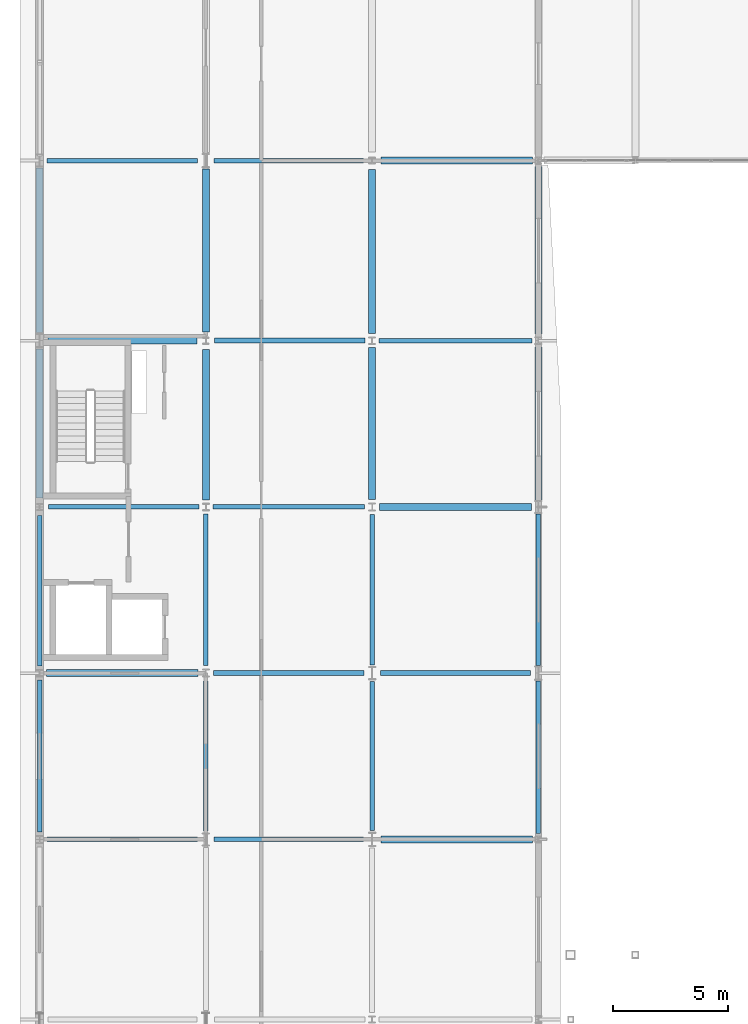
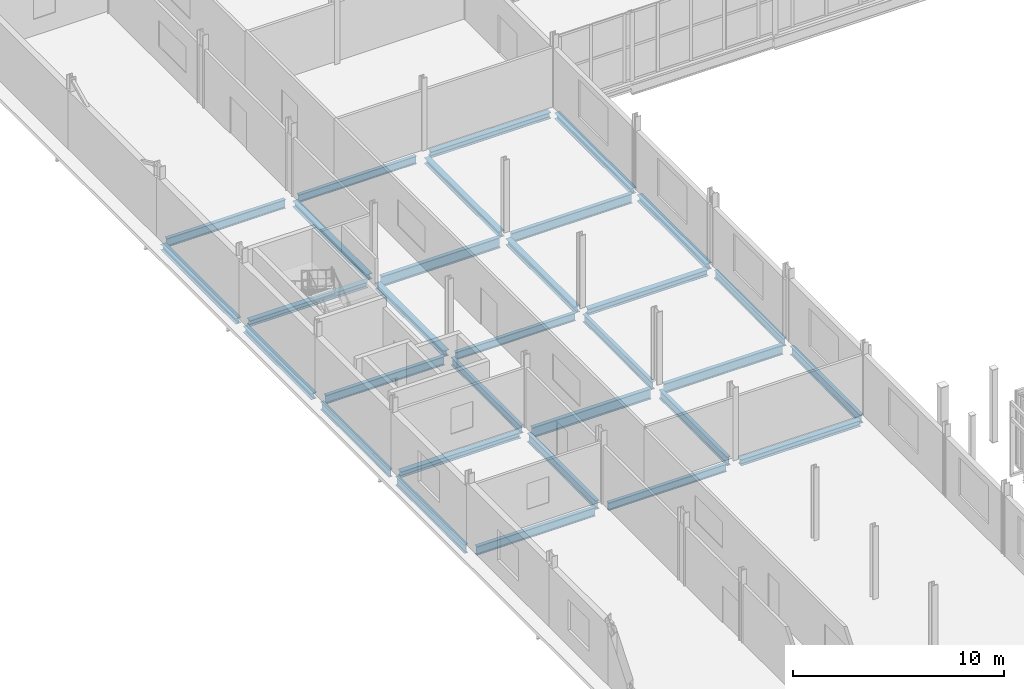
# One storey, part 49 of 138: 31 beams.
"""IFC4 building model written with IfcOpenShell, lengths in metres."""

from ifc_helpers import new_model, si_unit, direction, frame, origin, origin_2d, place, context, subcontext, project, spatial, i_section, extrude, material, material_profile, profile_set, type_object, element, save


model = new_model("IFC4")

# Units and contexts
model_context = context("Model", 3, precision=1e-05, world=origin(), true_north=direction((0.0, 1.0)))
body_context = subcontext(model_context, "Body", "Model", "MODEL_VIEW")
ifc_project = project(units=[si_unit("LENGTHUNIT", "METRE"), si_unit("AREAUNIT", "SQUARE_METRE"), si_unit("VOLUMEUNIT", "CUBIC_METRE"), si_unit("PLANEANGLEUNIT", "RADIAN"), si_unit("MASSUNIT", "GRAM", prefix="KILO")], contexts=[model_context])

# Site, building, storey
site_placement = place(None, origin())
site = spatial("IfcSite", under=ifc_project, at=site_placement, CompositionType="ELEMENT")
building_placement = place(site_placement, origin())
building = spatial("IfcBuilding", under=site, at=building_placement, Name="Vinh Khe Railworks Police Headquarters", CompositionType="ELEMENT")
storey_placement = place(building_placement, frame((0.0, 0.0, 9.0)))
storey = spatial("IfcBuildingStorey", under=building, at=storey_placement, Name="L02", CompositionType="ELEMENT", Elevation=9.0)

# Beams
ifc_material = material(Name="Steel S355JR", Category="steel")
ifc_material_profile_1 = material_profile(ifc_material, i_section(OverallWidth=0.300048828125, OverallDepth=0.330078125, WebThickness=0.009521484375, FlangeThickness=0.0166015625, FilletRadius=0.027099609375, at=origin_2d()), Name="HEA 340")
ifc_profile_set_1 = profile_set([ifc_material_profile_1], Name="Steel S355JR")
beam_type_1 = type_object("IfcBeamType", Name="Steel Girder HEA 340", PredefinedType="BEAM", material=ifc_profile_set_1)
beam_1_placement = place(storey_placement, frame((0.905029296875, 73.800048828125, -0.385009765625), z_axis=(1.0, 0.0, 0.0), x_axis=(0.0, 1.0, 0.0)))
element("IfcBeam", 1, at=beam_1_placement, inside=storey, type_object=beam_type_1, Name="Girder BM-L02-EW-SB-16-0794", PredefinedType="BEAM", context=body_context, shape_type="SweptSolid", body=[
    extrude(i_section(OverallWidth=0.300048828125, OverallDepth=0.330078125, WebThickness=0.009521484375, FlangeThickness=0.0166015625, FilletRadius=0.027099609375, at=origin_2d()), origin(), (0.0, 0.0, 1.0), 6.56494140625),
])
beam_2_placement = place(storey_placement, frame((0.955078125, 88.199951171875, -0.385009765625), z_axis=(1.0, 0.0, 0.0), x_axis=(0.0, 1.0, 0.0)))
element("IfcBeam", 2, at=beam_2_placement, inside=storey, type_object=beam_type_1, Name="Girder BM-L02-EW-SB-16-0800", PredefinedType="BEAM", context=body_context, shape_type="SweptSolid", body=[
    extrude(i_section(OverallWidth=0.300048828125, OverallDepth=0.330078125, WebThickness=0.009521484375, FlangeThickness=0.0166015625, FilletRadius=0.027099609375, at=origin_2d()), origin(), (0.0, 0.0, 1.0), 6.46484375),
])
beam_3_placement = place(storey_placement, frame((0.60009765625, 88.554931640625, -0.385009765625), z_axis=(0.0, 1.0, 0.0), x_axis=(-1.0, 0.0, 0.0)))
element("IfcBeam", 3, at=beam_3_placement, inside=storey, type_object=beam_type_1, Name="Girder BM-L02-NS-SB-16-0884", PredefinedType="BEAM", context=body_context, shape_type="SweptSolid", body=[
    extrude(i_section(OverallWidth=0.300048828125, OverallDepth=0.330078125, WebThickness=0.009521484375, FlangeThickness=0.0166015625, FilletRadius=0.027099609375, at=origin_2d()), origin(), (0.0, 0.0, 1.0), 7.114990234375),
])
beam_4_placement = place(storey_placement, frame((7.800048828125, 88.580078125, -0.385009765625), z_axis=(0.0, 1.0, 0.0), x_axis=(-1.0, 0.0, 0.0)))
element("IfcBeam", 4, at=beam_4_placement, inside=storey, type_object=beam_type_1, Name="Girder BM-L02-NS-SB-16-0902", PredefinedType="BEAM", context=body_context, shape_type="SweptSolid", body=[
    extrude(i_section(OverallWidth=0.300048828125, OverallDepth=0.330078125, WebThickness=0.009521484375, FlangeThickness=0.0166015625, FilletRadius=0.027099609375, at=origin_2d()), origin(), (0.0, 0.0, 1.0), 7.06494140625),
])
beam_5_placement = place(storey_placement, frame((15.0, 88.5048828125, -0.385009765625), z_axis=(0.0, 1.0, 0.0), x_axis=(-1.0, 0.0, 0.0)))
element("IfcBeam", 5, at=beam_5_placement, inside=storey, type_object=beam_type_1, Name="Girder BM-L02-NS-SB-16-0920", PredefinedType="BEAM", context=body_context, shape_type="SweptSolid", body=[
    extrude(i_section(OverallWidth=0.300048828125, OverallDepth=0.330078125, WebThickness=0.009521484375, FlangeThickness=0.0166015625, FilletRadius=0.027099609375, at=origin_2d()), origin(), (0.0, 0.0, 1.0), 7.115234375),
])
beam_6_placement = place(storey_placement, frame((22.199951171875, 88.47998046875, -0.385009765625), z_axis=(0.0, 1.0, 0.0), x_axis=(-1.0, 0.0, 0.0)))
element("IfcBeam", 6, at=beam_6_placement, inside=storey, type_object=beam_type_1, Name="Girder BM-L02-NS-SB-16-0938", PredefinedType="BEAM", context=body_context, shape_type="SweptSolid", body=[
    extrude(i_section(OverallWidth=0.300048828125, OverallDepth=0.330078125, WebThickness=0.009521484375, FlangeThickness=0.0166015625, FilletRadius=0.027099609375, at=origin_2d()), origin(), (0.0, 0.0, 1.0), 7.26513671875),
])
ifc_material_profile_2 = material_profile(ifc_material, i_section(OverallWidth=0.300048828125, OverallDepth=0.35009765625, WebThickness=0.010009765625, FlangeThickness=0.017578125, FilletRadius=0.027099609375, at=origin_2d()), Name="HEA 360")
ifc_profile_set_2 = profile_set([ifc_material_profile_2], Name="Steel S355JR")
beam_type_2 = type_object("IfcBeamType", Name="Steel Girder HEA 360", PredefinedType="BEAM", material=ifc_profile_set_2)
beam_7_placement = place(storey_placement, frame((15.3798828125, 66.60009765625, -0.39501953125), z_axis=(1.0, 0.0, 0.0), x_axis=(0.0, 1.0, 0.0)))
element("IfcBeam", 7, at=beam_7_placement, inside=storey, type_object=beam_type_2, Name="Girder BM-L02-EW-SB-15-0793", PredefinedType="BEAM", context=body_context, shape_type="SweptSolid", body=[
    extrude(i_section(OverallWidth=0.300048828125, OverallDepth=0.35009765625, WebThickness=0.010009765625, FlangeThickness=0.017578125, FilletRadius=0.027099609375, at=origin_2d()), origin(), (0.0, 0.0, 1.0), 6.565185546875),
])
beam_8_placement = place(storey_placement, frame((15.330078125, 81.0, -0.39501953125), z_axis=(1.0, 0.0, 0.0), x_axis=(0.0, 1.0, 0.0)))
element("IfcBeam", 8, at=beam_8_placement, inside=storey, type_object=beam_type_2, Name="Girder BM-L02-EW-SB-15-0799", PredefinedType="BEAM", context=body_context, shape_type="SweptSolid", body=[
    extrude(i_section(OverallWidth=0.300048828125, OverallDepth=0.35009765625, WebThickness=0.010009765625, FlangeThickness=0.017578125, FilletRadius=0.027099609375, at=origin_2d()), origin(), (0.0, 0.0, 1.0), 6.56494140625),
])
beam_9_placement = place(storey_placement, frame((15.3798828125, 96.0, -0.39501953125), z_axis=(1.0, 0.0, 0.0), x_axis=(0.0, 1.0, 0.0)))
element("IfcBeam", 9, at=beam_9_placement, inside=storey, type_object=beam_type_2, Name="Girder BM-L02-EW-SB-15-0805", PredefinedType="BEAM", context=body_context, shape_type="SweptSolid", body=[
    extrude(i_section(OverallWidth=0.300048828125, OverallDepth=0.35009765625, WebThickness=0.010009765625, FlangeThickness=0.017578125, FilletRadius=0.027099609375, at=origin_2d()), origin(), (0.0, 0.0, 1.0), 6.565185546875),
])
beam_10_placement = place(storey_placement, frame((0.60009765625, 81.3798828125, -0.39501953125), z_axis=(0.0, 1.0, 0.0), x_axis=(-1.0, 0.0, 0.0)))
element("IfcBeam", 10, at=beam_10_placement, inside=storey, type_object=beam_type_2, Name="Girder BM-L02-NS-SB-15-0883", PredefinedType="BEAM", context=body_context, shape_type="SweptSolid", body=[
    extrude(i_section(OverallWidth=0.300048828125, OverallDepth=0.35009765625, WebThickness=0.010009765625, FlangeThickness=0.017578125, FilletRadius=0.027099609375, at=origin_2d()), origin(), (0.0, 0.0, 1.0), 6.465087890625),
])
beam_11_placement = place(storey_placement, frame((7.800048828125, 81.304931640625, -0.39501953125), z_axis=(0.0, 1.0, 0.0), x_axis=(-1.0, 0.0, 0.0)))
element("IfcBeam", 11, at=beam_11_placement, inside=storey, type_object=beam_type_2, Name="Girder BM-L02-NS-SB-15-0901", PredefinedType="BEAM", context=body_context, shape_type="SweptSolid", body=[
    extrude(i_section(OverallWidth=0.300048828125, OverallDepth=0.35009765625, WebThickness=0.010009765625, FlangeThickness=0.017578125, FilletRadius=0.027099609375, at=origin_2d()), origin(), (0.0, 0.0, 1.0), 6.51513671875),
])
beam_12_placement = place(storey_placement, frame((15.0, 81.330078125, -0.39501953125), z_axis=(0.0, 1.0, 0.0), x_axis=(-1.0, 0.0, 0.0)))
element("IfcBeam", 12, at=beam_12_placement, inside=storey, type_object=beam_type_2, Name="Girder BM-L02-NS-SB-15-0919", PredefinedType="BEAM", context=body_context, shape_type="SweptSolid", body=[
    extrude(i_section(OverallWidth=0.300048828125, OverallDepth=0.35009765625, WebThickness=0.010009765625, FlangeThickness=0.017578125, FilletRadius=0.027099609375, at=origin_2d()), origin(), (0.0, 0.0, 1.0), 6.56494140625),
])
beam_13_placement = place(storey_placement, frame((22.199951171875, 81.304931640625, -0.39501953125), z_axis=(0.0, 1.0, 0.0), x_axis=(-1.0, 0.0, 0.0)))
element("IfcBeam", 13, at=beam_13_placement, inside=storey, type_object=beam_type_2, Name="Girder BM-L02-NS-SB-15-0937", PredefinedType="BEAM", context=body_context, shape_type="SweptSolid", body=[
    extrude(i_section(OverallWidth=0.300048828125, OverallDepth=0.35009765625, WebThickness=0.010009765625, FlangeThickness=0.017578125, FilletRadius=0.027099609375, at=origin_2d()), origin(), (0.0, 0.0, 1.0), 6.614990234375),
])
ifc_material_profile_3 = material_profile(ifc_material, i_section(OverallWidth=0.18994140625, OverallDepth=0.449951171875, WebThickness=0.009521484375, FlangeThickness=0.0146484375, FilletRadius=0.02099609375, at=origin_2d()), Name="IPE 450")
ifc_profile_set_3 = profile_set([ifc_material_profile_3], Name="Steel S355JR")
beam_type_3 = type_object("IfcBeamType", Name="Steel Girder IPE 450", PredefinedType="BEAM", material=ifc_profile_set_3)
beam_14_placement = place(storey_placement, frame((8.155029296875, 66.60009765625, -0.445068359375), z_axis=(1.0, 0.0, 0.0), x_axis=(0.0, 1.0, 0.0)))
element("IfcBeam", 14, at=beam_14_placement, inside=storey, type_object=beam_type_3, Name="Girder BM-L02-EW-SB-20-0792", PredefinedType="BEAM", context=body_context, shape_type="SweptSolid", body=[
    extrude(i_section(OverallWidth=0.18994140625, OverallDepth=0.449951171875, WebThickness=0.009521484375, FlangeThickness=0.0146484375, FilletRadius=0.02099609375, at=origin_2d()), origin(), (0.0, 0.0, 1.0), 6.465087890625),
])
beam_15_placement = place(storey_placement, frame((8.10498046875, 81.0, -0.445068359375), z_axis=(1.0, 0.0, 0.0), x_axis=(0.0, 1.0, 0.0)))
element("IfcBeam", 15, at=beam_15_placement, inside=storey, type_object=beam_type_3, Name="Girder BM-L02-EW-SB-20-0798", PredefinedType="BEAM", context=body_context, shape_type="SweptSolid", body=[
    extrude(i_section(OverallWidth=0.18994140625, OverallDepth=0.449951171875, WebThickness=0.009521484375, FlangeThickness=0.0146484375, FilletRadius=0.02099609375, at=origin_2d()), origin(), (0.0, 0.0, 1.0), 6.56494140625),
])
beam_16_placement = place(storey_placement, frame((8.155029296875, 96.0, -0.445068359375), z_axis=(1.0, 0.0, 0.0), x_axis=(0.0, 1.0, 0.0)))
element("IfcBeam", 16, at=beam_16_placement, inside=storey, type_object=beam_type_3, Name="Girder BM-L02-EW-SB-20-0804", PredefinedType="BEAM", context=body_context, shape_type="SweptSolid", body=[
    extrude(i_section(OverallWidth=0.18994140625, OverallDepth=0.449951171875, WebThickness=0.009521484375, FlangeThickness=0.0146484375, FilletRadius=0.02099609375, at=origin_2d()), origin(), (0.0, 0.0, 1.0), 6.465087890625),
])
beam_17_placement = place(storey_placement, frame((0.60009765625, 74.10498046875, -0.445068359375), z_axis=(0.0, 1.0, 0.0), x_axis=(-1.0, 0.0, 0.0)))
element("IfcBeam", 17, at=beam_17_placement, inside=storey, type_object=beam_type_3, Name="Girder BM-L02-NS-SB-20-0882", PredefinedType="BEAM", context=body_context, shape_type="SweptSolid", body=[
    extrude(i_section(OverallWidth=0.18994140625, OverallDepth=0.449951171875, WebThickness=0.009521484375, FlangeThickness=0.0146484375, FilletRadius=0.02099609375, at=origin_2d()), origin(), (0.0, 0.0, 1.0), 6.51513671875),
])
beam_18_placement = place(storey_placement, frame((7.800048828125, 74.1298828125, -0.445068359375), z_axis=(0.0, 1.0, 0.0), x_axis=(-1.0, 0.0, 0.0)))
element("IfcBeam", 18, at=beam_18_placement, inside=storey, type_object=beam_type_3, Name="Girder BM-L02-NS-SB-20-0900", PredefinedType="BEAM", context=body_context, shape_type="SweptSolid", body=[
    extrude(i_section(OverallWidth=0.18994140625, OverallDepth=0.449951171875, WebThickness=0.009521484375, FlangeThickness=0.0146484375, FilletRadius=0.02099609375, at=origin_2d()), origin(), (0.0, 0.0, 1.0), 6.565185546875),
])
beam_19_placement = place(storey_placement, frame((15.0, 74.155029296875, -0.445068359375), z_axis=(0.0, 1.0, 0.0), x_axis=(-1.0, 0.0, 0.0)))
element("IfcBeam", 19, at=beam_19_placement, inside=storey, type_object=beam_type_3, Name="Girder BM-L02-NS-SB-20-0918", PredefinedType="BEAM", context=body_context, shape_type="SweptSolid", body=[
    extrude(i_section(OverallWidth=0.18994140625, OverallDepth=0.449951171875, WebThickness=0.009521484375, FlangeThickness=0.0146484375, FilletRadius=0.02099609375, at=origin_2d()), origin(), (0.0, 0.0, 1.0), 6.514892578125),
])
beam_20_placement = place(storey_placement, frame((22.199951171875, 74.1298828125, -0.445068359375), z_axis=(0.0, 1.0, 0.0), x_axis=(-1.0, 0.0, 0.0)))
element("IfcBeam", 20, at=beam_20_placement, inside=storey, type_object=beam_type_3, Name="Girder BM-L02-NS-SB-20-0936", PredefinedType="BEAM", context=body_context, shape_type="SweptSolid", body=[
    extrude(i_section(OverallWidth=0.18994140625, OverallDepth=0.449951171875, WebThickness=0.009521484375, FlangeThickness=0.0146484375, FilletRadius=0.02099609375, at=origin_2d()), origin(), (0.0, 0.0, 1.0), 6.565185546875),
])
ifc_material_profile_4 = material_profile(ifc_material, i_section(OverallWidth=0.199951171875, OverallDepth=0.5, WebThickness=0.01025390625, FlangeThickness=0.01611328125, FilletRadius=0.02099609375, at=origin_2d()), Name="IPE 500")
ifc_profile_set_4 = profile_set([ifc_material_profile_4], Name="Steel S355JR")
beam_type_4 = type_object("IfcBeamType", Name="Steel Girder IPE 500", PredefinedType="BEAM", material=ifc_profile_set_4)
for number, where, z_axis, x_axis, name in (
    (21, (0.929931640625, 66.60009765625, -0.469970703125), (1.0, 0.0, 0.0), (0.0, 1.0, 0.0), "Girder BM-L02-EW-SB-19-0791"),
    (22, (0.97998046875, 81.0, -0.469970703125), (1.0, 0.0, 0.0), (0.0, 1.0, 0.0), "Girder BM-L02-EW-SB-19-0797"),
    (23, (0.929931640625, 96.0, -0.469970703125), (1.0, 0.0, 0.0), (0.0, 1.0, 0.0), "Girder BM-L02-EW-SB-19-0803"),
):
    element("IfcBeam", number, at=place(storey_placement, frame(where, z_axis=z_axis, x_axis=x_axis)), inside=storey, type_object=beam_type_4, Name=name, PredefinedType="BEAM", context=body_context, shape_type="SweptSolid", body=[
        extrude(i_section(OverallWidth=0.199951171875, OverallDepth=0.5, WebThickness=0.01025390625, FlangeThickness=0.01611328125, FilletRadius=0.02099609375, at=origin_2d()), origin(), (0.0, 0.0, 1.0), 6.51513671875),
    ])
beam_21_placement = place(storey_placement, frame((0.60009765625, 66.929931640625, -0.469970703125), z_axis=(0.0, 1.0, 0.0), x_axis=(-1.0, 0.0, 0.0)))
element("IfcBeam", 24, at=beam_21_placement, inside=storey, type_object=beam_type_4, Name="Girder BM-L02-NS-SB-19-0881", PredefinedType="BEAM", context=body_context, shape_type="SweptSolid", body=[
    extrude(i_section(OverallWidth=0.199951171875, OverallDepth=0.5, WebThickness=0.01025390625, FlangeThickness=0.01611328125, FilletRadius=0.02099609375, at=origin_2d()), origin(), (0.0, 0.0, 1.0), 6.565185546875),
])
beam_22_placement = place(storey_placement, frame((7.800048828125, 66.955078125, -0.469970703125), z_axis=(0.0, 1.0, 0.0), x_axis=(-1.0, 0.0, 0.0)))
element("IfcBeam", 25, at=beam_22_placement, inside=storey, type_object=beam_type_4, Name="Girder BM-L02-NS-SB-19-0899", PredefinedType="BEAM", context=body_context, shape_type="SweptSolid", body=[
    extrude(i_section(OverallWidth=0.199951171875, OverallDepth=0.5, WebThickness=0.01025390625, FlangeThickness=0.01611328125, FilletRadius=0.02099609375, at=origin_2d()), origin(), (0.0, 0.0, 1.0), 6.514892578125),
])
beam_23_placement = place(storey_placement, frame((15.0, 66.97998046875, -0.469970703125), z_axis=(0.0, 1.0, 0.0), x_axis=(-1.0, 0.0, 0.0)))
element("IfcBeam", 26, at=beam_23_placement, inside=storey, type_object=beam_type_4, Name="Girder BM-L02-NS-SB-19-0917", PredefinedType="BEAM", context=body_context, shape_type="SweptSolid", body=[
    extrude(i_section(OverallWidth=0.199951171875, OverallDepth=0.5, WebThickness=0.01025390625, FlangeThickness=0.01611328125, FilletRadius=0.02099609375, at=origin_2d()), origin(), (0.0, 0.0, 1.0), 6.465087890625),
])
beam_24_placement = place(storey_placement, frame((22.199951171875, 66.85498046875, -0.469970703125), z_axis=(0.0, 1.0, 0.0), x_axis=(-1.0, 0.0, 0.0)))
element("IfcBeam", 27, at=beam_24_placement, inside=storey, type_object=beam_type_4, Name="Girder BM-L02-NS-SB-19-0935", PredefinedType="BEAM", context=body_context, shape_type="SweptSolid", body=[
    extrude(i_section(OverallWidth=0.199951171875, OverallDepth=0.5, WebThickness=0.01025390625, FlangeThickness=0.01611328125, FilletRadius=0.02099609375, at=origin_2d()), origin(), (0.0, 0.0, 1.0), 6.614990234375),
])
ifc_material_profile_5 = material_profile(ifc_material, i_section(OverallWidth=0.2099609375, OverallDepth=0.550048828125, WebThickness=0.010986328125, FlangeThickness=0.01708984375, FilletRadius=0.02392578125, at=origin_2d()), Name="IPE 550")
ifc_profile_set_5 = profile_set([ifc_material_profile_5], Name="Steel S355JR")
beam_type_5 = type_object("IfcBeamType", Name="Steel Girder IPE 550", PredefinedType="BEAM", material=ifc_profile_set_5)
beam_25_placement = place(storey_placement, frame((15.35498046875, 73.800048828125, -0.4951171875), z_axis=(1.0, 0.0, 0.0), x_axis=(0.0, 1.0, 0.0)))
element("IfcBeam", 28, at=beam_25_placement, inside=storey, type_object=beam_type_5, Name="Girder BM-L02-EW-SB-18-0796", PredefinedType="BEAM", context=body_context, shape_type="SweptSolid", body=[
    extrude(i_section(OverallWidth=0.2099609375, OverallDepth=0.550048828125, WebThickness=0.010986328125, FlangeThickness=0.01708984375, FilletRadius=0.02392578125, at=origin_2d()), origin(), (0.0, 0.0, 1.0), 6.51513671875),
])
beam_26_placement = place(storey_placement, frame((15.304931640625, 88.199951171875, -0.4951171875), z_axis=(1.0, 0.0, 0.0), x_axis=(0.0, 1.0, 0.0)))
element("IfcBeam", 29, at=beam_26_placement, inside=storey, type_object=beam_type_5, Name="Girder BM-L02-EW-SB-18-0802", PredefinedType="BEAM", context=body_context, shape_type="SweptSolid", body=[
    extrude(i_section(OverallWidth=0.2099609375, OverallDepth=0.550048828125, WebThickness=0.010986328125, FlangeThickness=0.01708984375, FilletRadius=0.02392578125, at=origin_2d()), origin(), (0.0, 0.0, 1.0), 6.614990234375),
])
ifc_material_profile_6 = material_profile(ifc_material, i_section(OverallWidth=0.219970703125, OverallDepth=0.60009765625, WebThickness=0.011962890625, FlangeThickness=0.01904296875, FilletRadius=0.02392578125, at=origin_2d()), Name="IPE 600")
ifc_profile_set_6 = profile_set([ifc_material_profile_6], Name="Steel S355JR")
beam_type_6 = type_object("IfcBeamType", Name="Steel Girder IPE 600", PredefinedType="BEAM", material=ifc_profile_set_6)
for number, where, z_axis, x_axis, name in (
    (30, (8.1298828125, 73.800048828125, -0.52001953125), (1.0, 0.0, 0.0), (0.0, 1.0, 0.0), "Girder BM-L02-EW-SB-17-0795"),
    (31, (8.179931640625, 88.199951171875, -0.52001953125), (1.0, 0.0, 0.0), (0.0, 1.0, 0.0), "Girder BM-L02-EW-SB-17-0801"),
):
    element("IfcBeam", number, at=place(storey_placement, frame(where, z_axis=z_axis, x_axis=x_axis)), inside=storey, type_object=beam_type_6, Name=name, PredefinedType="BEAM", context=body_context, shape_type="SweptSolid", body=[
        extrude(i_section(OverallWidth=0.219970703125, OverallDepth=0.60009765625, WebThickness=0.011962890625, FlangeThickness=0.01904296875, FilletRadius=0.02392578125, at=origin_2d()), origin(), (0.0, 0.0, 1.0), 6.51513671875),
    ])

save(model, "model.ifc")
